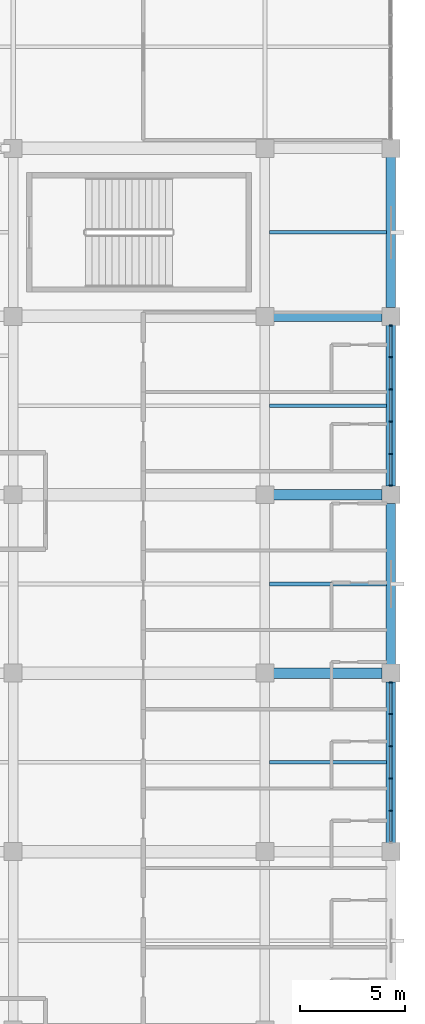
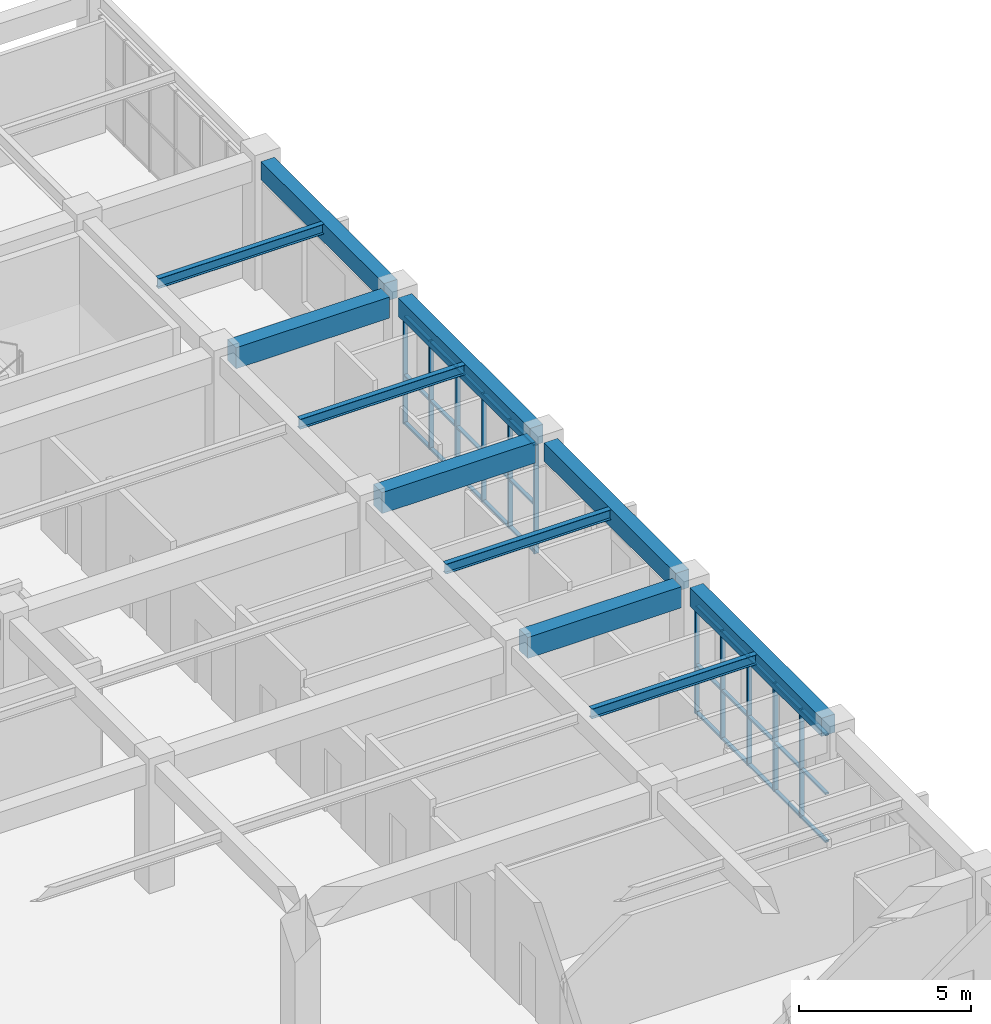
# One storey, part 58 of 112: 41 members, 11 beams, 2 elements without a shape of their own.
"""IFC4 building model written with IfcOpenShell, lengths in metres."""

from ifc_helpers import new_model, si_unit, direction, frame, origin, origin_2d, place, context, subcontext, project, spatial, rectangle, i_section, extrude, material, material_profile, profile_set, type_object, element, aggregate, save


model = new_model("IFC4")

# Units and contexts
model_context = context("Model", 3, precision=1e-05, world=origin(), true_north=direction((0.0, 1.0)))
body_context = subcontext(model_context, "Body", "Model", "MODEL_VIEW")
ifc_project = project(units=[si_unit("LENGTHUNIT", "METRE"), si_unit("AREAUNIT", "SQUARE_METRE"), si_unit("VOLUMEUNIT", "CUBIC_METRE"), si_unit("PLANEANGLEUNIT", "RADIAN"), si_unit("MASSUNIT", "GRAM", prefix="KILO")], contexts=[model_context])

# Site, building, storey
site_placement = place(None, origin())
site = spatial("IfcSite", under=ifc_project, at=site_placement, CompositionType="ELEMENT")
building_placement = place(site_placement, origin())
building = spatial("IfcBuilding", under=site, at=building_placement, Name="Cuetzalor Civic Arena", CompositionType="ELEMENT")
storey_placement = place(building_placement, frame((0.0, 0.0, 11.39990234375)))
storey = spatial("IfcBuildingStorey", under=building, at=storey_placement, Name="L02", CompositionType="ELEMENT", Elevation=11.39990234375)

# Beams
ifc_material_1 = material(Name="Concrete C40/50", Category="concrete")
ifc_material_profile_1 = material_profile(ifc_material_1, rectangle(XDim=0.5, YDim=0.75, at=origin_2d()), Name="RC 500x750")
ifc_profile_set_1 = profile_set([ifc_material_profile_1], Name="Concrete C40/50")
beam_type_1 = type_object("IfcBeamType", Name="ConcreteFrameBeam_500x750", PredefinedType="BEAM", material=ifc_profile_set_1)
for number, where, z_axis, x_axis, name in (
    (1, (76.4150390625, 0.0, 4.14501953125), (1.0, 0.0, 0.0), (0.0, 1.0, 0.0), "Frame Girder V4E-L02-X0723"),
    (2, (76.4150390625, 8.5, 4.14501953125), (1.0, 0.0, 0.0), (0.0, 1.0, 0.0), "Frame Girder V4E-L02-X0726"),
    (3, (76.4150390625, 17.0, 4.14501953125), (1.0, 0.0, 0.0), (0.0, 1.0, 0.0), "Frame Girder V4E-L02-X0729"),
):
    element("IfcBeam", number, at=place(storey_placement, frame(where, z_axis=z_axis, x_axis=x_axis)), inside=storey, type_object=beam_type_1, Name=name, PredefinedType="BEAM", context=body_context, shape_type="SweptSolid", body=[
        extrude(rectangle(XDim=0.5, YDim=0.75, at=origin_2d()), origin(), (0.0, 0.0, 1.0), 5.169921875),
    ])
ifc_material_2 = material(Name="Concrete C40/50", Category="concrete")
ifc_material_profile_2 = material_profile(ifc_material_2, rectangle(XDim=0.449951171875, YDim=0.64990234375, at=origin_2d()), Name="RC 450x650")
ifc_profile_set_2 = profile_set([ifc_material_profile_2], Name="Concrete C40/50")
beam_type_2 = type_object("IfcBeamType", Name="ConcreteTieBeam_450x650", PredefinedType="BEAM", material=ifc_profile_set_2)
for number, where, z_axis, x_axis, name in (
    (4, (82.0, -8.0849609375, 4.195068359375), (0.0, 1.0, 0.0), (-1.0, 0.0, 0.0), "Frame Girder V4E-L02-Y0773"),
    (5, (82.0, 0.4150390625, 4.195068359375), (0.0, 1.0, 0.0), (-1.0, 0.0, 0.0), "Frame Girder V4E-L02-Y0774"),
    (6, (82.0, 8.9150390625, 4.195068359375), (0.0, 1.0, 0.0), (-1.0, 0.0, 0.0), "Frame Girder V4E-L02-Y0775"),
):
    element("IfcBeam", number, at=place(storey_placement, frame(where, z_axis=z_axis, x_axis=x_axis)), inside=storey, type_object=beam_type_2, Name=name, PredefinedType="BEAM", context=body_context, shape_type="SweptSolid", body=[
        extrude(rectangle(XDim=0.449951171875, YDim=0.64990234375, at=origin_2d()), origin(), (0.0, 0.0, 1.0), 7.669921875),
    ])
beam_placement = place(storey_placement, frame((82.0, 17.4150390625, 4.195068359375), z_axis=(0.0, 1.0, 0.0), x_axis=(-1.0, 0.0, 0.0)))
element("IfcBeam", 7, at=beam_placement, inside=storey, type_object=beam_type_2, Name="Frame Girder V4E-L02-Y0776", PredefinedType="BEAM", context=body_context, shape_type="SweptSolid", body=[
    extrude(rectangle(XDim=0.449951171875, YDim=0.64990234375, at=origin_2d()), origin(), (0.0, 0.0, 1.0), 7.169921875),
])

# Curtain wall, members
ifc_material_3 = material(Name="Anodised dark bronze aluminium and low-E solar glass", Category="aluminium")
curtain_wall_type = type_object("IfcCurtainWallType", Name="UnitisedCW_7700x3850", PredefinedType="USERDEFINED", material=ifc_material_3)
curtain_wall_1_placement = place(storey_placement, origin())
curtain_wall_1 = element("IfcCurtainWall", 8, at=curtain_wall_1_placement, inside=storey, type_object=curtain_wall_type, Name="V4E Suite Viewing Curtain Wall L02-142", ObjectType="UNITISED CURTAIN WALL", PredefinedType="USERDEFINED")
ifc_material_4 = material(Name="Anodised dark bronze aluminium", Category="aluminium")
ifc_material_profile_3 = material_profile(ifc_material_4, rectangle(XDim=0.06494140625, YDim=0.14990234375, at=origin_2d()), Name="ALU MULLION 65x150")
ifc_profile_set_3 = profile_set([ifc_material_profile_3], Name="Anodised dark bronze aluminium")
member_type_1 = type_object("IfcMemberType", Name="CurtainWallMullion_60x150", PredefinedType="MULLION", material=ifc_profile_set_3)
member_1_placement = place(storey_placement, frame((82.0, -0.439453125, 0.0), z_axis=(0.0, 0.0, 1.0), x_axis=(0.0, -1.0, 0.0)))
member_1 = element("IfcMember", 9, at=member_1_placement, type_object=member_type_1, Name="CW-42 mullion 1", PredefinedType="MULLION", context=body_context, shape_type="SweptSolid", body=[
    extrude(rectangle(XDim=0.06494140625, YDim=0.14990234375, at=origin_2d()), origin(), (0.0, 0.0, 1.0), 3.860107421875),
])
member_2_placement = place(storey_placement, frame((82.0, -1.944091796875, 0.0), z_axis=(0.0, 0.0, 1.0), x_axis=(0.0, -1.0, 0.0)))
member_2 = element("IfcMember", 10, at=member_2_placement, type_object=member_type_1, Name="CW-42 mullion 2", PredefinedType="MULLION", context=body_context, shape_type="SweptSolid", body=[
    extrude(rectangle(XDim=0.06494140625, YDim=0.14990234375, at=origin_2d()), origin(), (0.0, 0.0, 1.0), 3.860107421875),
])
member_3_placement = place(storey_placement, frame((82.0, -3.4814453125, 0.0), z_axis=(0.0, 0.0, 1.0), x_axis=(0.0, -1.0, 0.0)))
member_3 = element("IfcMember", 11, at=member_3_placement, type_object=member_type_1, Name="CW-42 mullion 3", PredefinedType="MULLION", context=body_context, shape_type="SweptSolid", body=[
    extrude(rectangle(XDim=0.06494140625, YDim=0.14990234375, at=origin_2d()), origin(), (0.0, 0.0, 1.0), 3.860107421875),
])
member_4_placement = place(storey_placement, frame((82.0, -5.0185546875, 0.0), z_axis=(0.0, 0.0, 1.0), x_axis=(0.0, -1.0, 0.0)))
member_4 = element("IfcMember", 12, at=member_4_placement, type_object=member_type_1, Name="CW-42 mullion 4", PredefinedType="MULLION", context=body_context, shape_type="SweptSolid", body=[
    extrude(rectangle(XDim=0.06494140625, YDim=0.14990234375, at=origin_2d()), origin(), (0.0, 0.0, 1.0), 3.860107421875),
])
member_5_placement = place(storey_placement, frame((82.0, -6.555908203125, 0.0), z_axis=(0.0, 0.0, 1.0), x_axis=(0.0, -1.0, 0.0)))
member_5 = element("IfcMember", 13, at=member_5_placement, type_object=member_type_1, Name="CW-42 mullion 5", PredefinedType="MULLION", context=body_context, shape_type="SweptSolid", body=[
    extrude(rectangle(XDim=0.06494140625, YDim=0.14990234375, at=origin_2d()), origin(), (0.0, 0.0, 1.0), 3.860107421875),
])

curtain_wall_2_placement = place(storey_placement, origin())
curtain_wall_2 = element("IfcCurtainWall", 14, at=curtain_wall_2_placement, inside=storey, type_object=curtain_wall_type, Name="V4E Suite Viewing Curtain Wall L02-143", ObjectType="UNITISED CURTAIN WALL", PredefinedType="USERDEFINED")
member_6_placement = place(storey_placement, frame((82.0, 16.560546875, 0.0), z_axis=(0.0, 0.0, 1.0), x_axis=(0.0, -1.0, 0.0)))
member_6 = element("IfcMember", 15, at=member_6_placement, type_object=member_type_1, Name="CW-42 mullion 1", PredefinedType="MULLION", context=body_context, shape_type="SweptSolid", body=[
    extrude(rectangle(XDim=0.06494140625, YDim=0.14990234375, at=origin_2d()), origin(), (0.0, 0.0, 1.0), 3.860107421875),
])
member_7_placement = place(storey_placement, frame((82.0, 15.055908203125, 0.0), z_axis=(0.0, 0.0, 1.0), x_axis=(0.0, -1.0, 0.0)))
member_7 = element("IfcMember", 16, at=member_7_placement, type_object=member_type_1, Name="CW-42 mullion 2", PredefinedType="MULLION", context=body_context, shape_type="SweptSolid", body=[
    extrude(rectangle(XDim=0.06494140625, YDim=0.14990234375, at=origin_2d()), origin(), (0.0, 0.0, 1.0), 3.860107421875),
])
member_8_placement = place(storey_placement, frame((82.0, 13.5185546875, 0.0), z_axis=(0.0, 0.0, 1.0), x_axis=(0.0, -1.0, 0.0)))
member_8 = element("IfcMember", 17, at=member_8_placement, type_object=member_type_1, Name="CW-42 mullion 3", PredefinedType="MULLION", context=body_context, shape_type="SweptSolid", body=[
    extrude(rectangle(XDim=0.06494140625, YDim=0.14990234375, at=origin_2d()), origin(), (0.0, 0.0, 1.0), 3.860107421875),
])
member_9_placement = place(storey_placement, frame((82.0, 11.9814453125, 0.0), z_axis=(0.0, 0.0, 1.0), x_axis=(0.0, -1.0, 0.0)))
member_9 = element("IfcMember", 18, at=member_9_placement, type_object=member_type_1, Name="CW-42 mullion 4", PredefinedType="MULLION", context=body_context, shape_type="SweptSolid", body=[
    extrude(rectangle(XDim=0.06494140625, YDim=0.14990234375, at=origin_2d()), origin(), (0.0, 0.0, 1.0), 3.860107421875),
])
member_10_placement = place(storey_placement, frame((82.0, 10.444091796875, 0.0), z_axis=(0.0, 0.0, 1.0), x_axis=(0.0, -1.0, 0.0)))
member_10 = element("IfcMember", 19, at=member_10_placement, type_object=member_type_1, Name="CW-42 mullion 5", PredefinedType="MULLION", context=body_context, shape_type="SweptSolid", body=[
    extrude(rectangle(XDim=0.06494140625, YDim=0.14990234375, at=origin_2d()), origin(), (0.0, 0.0, 1.0), 3.860107421875),
])
member_11_placement = place(storey_placement, frame((82.0, 8.939453125, 0.0), z_axis=(0.0, 0.0, 1.0), x_axis=(0.0, -1.0, 0.0)))
member_11 = element("IfcMember", 20, at=member_11_placement, type_object=member_type_1, Name="CW-42 mullion 6", PredefinedType="MULLION", context=body_context, shape_type="SweptSolid", body=[
    extrude(rectangle(XDim=0.06494140625, YDim=0.14990234375, at=origin_2d()), origin(), (0.0, 0.0, 1.0), 3.860107421875),
])

# Member
ifc_material_5 = material(Name="Anodised dark bronze aluminium", Category="aluminium")
ifc_material_profile_4 = material_profile(ifc_material_5, rectangle(XDim=0.1201171875, YDim=0.06494140625, at=origin_2d()), Name="ALU TRANSOM 65x120")
ifc_profile_set_4 = profile_set([ifc_material_profile_4], Name="Anodised dark bronze aluminium")
member_type_2 = type_object("IfcMemberType", Name="CurtainWallTransom_60x120", PredefinedType="USERDEFINED", material=ifc_profile_set_4)
member_12_placement = place(storey_placement, frame((82.0, -0.471923828125, 0.03271484375), z_axis=(0.0, -1.0, 0.0), x_axis=(1.0, 0.0, 0.0)))
member_12 = element("IfcMember", 21, at=member_12_placement, type_object=member_type_2, Name="CW-42 transom 1.1", ObjectType="TRANSOM", PredefinedType="USERDEFINED", context=body_context, shape_type="SweptSolid", body=[
    extrude(rectangle(XDim=0.1201171875, YDim=0.06494140625, at=origin_2d()), origin(), (0.0, 0.0, 1.0), 1.439697265625),
])

member_13_placement = place(storey_placement, frame((82.0, -0.471923828125, 1.737060546875), z_axis=(0.0, -1.0, 0.0), x_axis=(1.0, 0.0, 0.0)))
member_13 = element("IfcMember", 22, at=member_13_placement, type_object=member_type_2, Name="CW-42 transom 1.2", ObjectType="TRANSOM", PredefinedType="USERDEFINED", context=body_context, shape_type="SweptSolid", body=[
    extrude(rectangle(XDim=0.1201171875, YDim=0.06494140625, at=origin_2d()), origin(), (0.0, 0.0, 1.0), 1.439697265625),
])

member_14_placement = place(storey_placement, frame((82.0, -0.471923828125, 3.82763671875), z_axis=(0.0, -1.0, 0.0), x_axis=(1.0, 0.0, 0.0)))
member_14 = element("IfcMember", 23, at=member_14_placement, type_object=member_type_2, Name="CW-42 transom 1.3", ObjectType="TRANSOM", PredefinedType="USERDEFINED", context=body_context, shape_type="SweptSolid", body=[
    extrude(rectangle(XDim=0.1201171875, YDim=0.06494140625, at=origin_2d()), origin(), (0.0, 0.0, 1.0), 1.439697265625),
])

member_15_placement = place(storey_placement, frame((82.0, -1.976806640625, 0.03271484375), z_axis=(0.0, -1.0, 0.0), x_axis=(1.0, 0.0, 0.0)))
member_15 = element("IfcMember", 24, at=member_15_placement, type_object=member_type_2, Name="CW-42 transom 2.1", ObjectType="TRANSOM", PredefinedType="USERDEFINED", context=body_context, shape_type="SweptSolid", body=[
    extrude(rectangle(XDim=0.1201171875, YDim=0.06494140625, at=origin_2d()), origin(), (0.0, 0.0, 1.0), 1.47216796875),
])

member_16_placement = place(storey_placement, frame((82.0, -1.976806640625, 1.737060546875), z_axis=(0.0, -1.0, 0.0), x_axis=(1.0, 0.0, 0.0)))
member_16 = element("IfcMember", 25, at=member_16_placement, type_object=member_type_2, Name="CW-42 transom 2.2", ObjectType="TRANSOM", PredefinedType="USERDEFINED", context=body_context, shape_type="SweptSolid", body=[
    extrude(rectangle(XDim=0.1201171875, YDim=0.06494140625, at=origin_2d()), origin(), (0.0, 0.0, 1.0), 1.47216796875),
])

member_17_placement = place(storey_placement, frame((82.0, -1.976806640625, 3.82763671875), z_axis=(0.0, -1.0, 0.0), x_axis=(1.0, 0.0, 0.0)))
member_17 = element("IfcMember", 26, at=member_17_placement, type_object=member_type_2, Name="CW-42 transom 2.3", ObjectType="TRANSOM", PredefinedType="USERDEFINED", context=body_context, shape_type="SweptSolid", body=[
    extrude(rectangle(XDim=0.1201171875, YDim=0.06494140625, at=origin_2d()), origin(), (0.0, 0.0, 1.0), 1.47216796875),
])

member_18_placement = place(storey_placement, frame((82.0, -3.513916015625, 0.03271484375), z_axis=(0.0, -1.0, 0.0), x_axis=(1.0, 0.0, 0.0)))
member_18 = element("IfcMember", 27, at=member_18_placement, type_object=member_type_2, Name="CW-42 transom 3.1", ObjectType="TRANSOM", PredefinedType="USERDEFINED", context=body_context, shape_type="SweptSolid", body=[
    extrude(rectangle(XDim=0.1201171875, YDim=0.06494140625, at=origin_2d()), origin(), (0.0, 0.0, 1.0), 1.47216796875),
])

member_19_placement = place(storey_placement, frame((82.0, -3.513916015625, 1.737060546875), z_axis=(0.0, -1.0, 0.0), x_axis=(1.0, 0.0, 0.0)))
member_19 = element("IfcMember", 28, at=member_19_placement, type_object=member_type_2, Name="CW-42 transom 3.2", ObjectType="TRANSOM", PredefinedType="USERDEFINED", context=body_context, shape_type="SweptSolid", body=[
    extrude(rectangle(XDim=0.1201171875, YDim=0.06494140625, at=origin_2d()), origin(), (0.0, 0.0, 1.0), 1.47216796875),
])

member_20_placement = place(storey_placement, frame((82.0, -3.513916015625, 3.82763671875), z_axis=(0.0, -1.0, 0.0), x_axis=(1.0, 0.0, 0.0)))
member_20 = element("IfcMember", 29, at=member_20_placement, type_object=member_type_2, Name="CW-42 transom 3.3", ObjectType="TRANSOM", PredefinedType="USERDEFINED", context=body_context, shape_type="SweptSolid", body=[
    extrude(rectangle(XDim=0.1201171875, YDim=0.06494140625, at=origin_2d()), origin(), (0.0, 0.0, 1.0), 1.47216796875),
])

member_21_placement = place(storey_placement, frame((82.0, -5.051025390625, 0.03271484375), z_axis=(0.0, -1.0, 0.0), x_axis=(1.0, 0.0, 0.0)))
member_21 = element("IfcMember", 30, at=member_21_placement, type_object=member_type_2, Name="CW-42 transom 4.1", ObjectType="TRANSOM", PredefinedType="USERDEFINED", context=body_context, shape_type="SweptSolid", body=[
    extrude(rectangle(XDim=0.1201171875, YDim=0.06494140625, at=origin_2d()), origin(), (0.0, 0.0, 1.0), 1.47216796875),
])

member_22_placement = place(storey_placement, frame((82.0, -5.051025390625, 1.737060546875), z_axis=(0.0, -1.0, 0.0), x_axis=(1.0, 0.0, 0.0)))
member_22 = element("IfcMember", 31, at=member_22_placement, type_object=member_type_2, Name="CW-42 transom 4.2", ObjectType="TRANSOM", PredefinedType="USERDEFINED", context=body_context, shape_type="SweptSolid", body=[
    extrude(rectangle(XDim=0.1201171875, YDim=0.06494140625, at=origin_2d()), origin(), (0.0, 0.0, 1.0), 1.47216796875),
])

member_23_placement = place(storey_placement, frame((82.0, -5.051025390625, 3.82763671875), z_axis=(0.0, -1.0, 0.0), x_axis=(1.0, 0.0, 0.0)))
member_23 = element("IfcMember", 32, at=member_23_placement, type_object=member_type_2, Name="CW-42 transom 4.3", ObjectType="TRANSOM", PredefinedType="USERDEFINED", context=body_context, shape_type="SweptSolid", body=[
    extrude(rectangle(XDim=0.1201171875, YDim=0.06494140625, at=origin_2d()), origin(), (0.0, 0.0, 1.0), 1.47216796875),
])

member_24_placement = place(storey_placement, frame((82.0, -6.58837890625, 0.03271484375), z_axis=(0.0, -1.0, 0.0), x_axis=(1.0, 0.0, 0.0)))
member_24 = element("IfcMember", 33, at=member_24_placement, type_object=member_type_2, Name="CW-42 transom 5.1", ObjectType="TRANSOM", PredefinedType="USERDEFINED", context=body_context, shape_type="SweptSolid", body=[
    extrude(rectangle(XDim=0.1201171875, YDim=0.06494140625, at=origin_2d()), origin(), (0.0, 0.0, 1.0), 1.439697265625),
])

member_25_placement = place(storey_placement, frame((82.0, -6.58837890625, 1.737060546875), z_axis=(0.0, -1.0, 0.0), x_axis=(1.0, 0.0, 0.0)))
member_25 = element("IfcMember", 34, at=member_25_placement, type_object=member_type_2, Name="CW-42 transom 5.2", ObjectType="TRANSOM", PredefinedType="USERDEFINED", context=body_context, shape_type="SweptSolid", body=[
    extrude(rectangle(XDim=0.1201171875, YDim=0.06494140625, at=origin_2d()), origin(), (0.0, 0.0, 1.0), 1.439697265625),
])

member_26_placement = place(storey_placement, frame((82.0, -6.58837890625, 3.82763671875), z_axis=(0.0, -1.0, 0.0), x_axis=(1.0, 0.0, 0.0)))
member_26 = element("IfcMember", 35, at=member_26_placement, type_object=member_type_2, Name="CW-42 transom 5.3", ObjectType="TRANSOM", PredefinedType="USERDEFINED", context=body_context, shape_type="SweptSolid", body=[
    extrude(rectangle(XDim=0.1201171875, YDim=0.06494140625, at=origin_2d()), origin(), (0.0, 0.0, 1.0), 1.439697265625),
])

aggregate(curtain_wall_1, [member_1, member_2, member_3, member_4, member_5, member_12, member_13, member_14, member_15, member_16, member_17, member_18, member_19, member_20, member_21, member_22, member_23, member_24, member_25, member_26])

member_27_placement = place(storey_placement, frame((82.0, 16.528076171875, 0.03271484375), z_axis=(0.0, -1.0, 0.0), x_axis=(1.0, 0.0, 0.0)))
member_27 = element("IfcMember", 36, at=member_27_placement, type_object=member_type_2, Name="CW-42 transom 1.1", ObjectType="TRANSOM", PredefinedType="USERDEFINED", context=body_context, shape_type="SweptSolid", body=[
    extrude(rectangle(XDim=0.1201171875, YDim=0.06494140625, at=origin_2d()), origin(), (0.0, 0.0, 1.0), 1.439697265625),
])

member_28_placement = place(storey_placement, frame((82.0, 16.528076171875, 1.737060546875), z_axis=(0.0, -1.0, 0.0), x_axis=(1.0, 0.0, 0.0)))
member_28 = element("IfcMember", 37, at=member_28_placement, type_object=member_type_2, Name="CW-42 transom 1.2", ObjectType="TRANSOM", PredefinedType="USERDEFINED", context=body_context, shape_type="SweptSolid", body=[
    extrude(rectangle(XDim=0.1201171875, YDim=0.06494140625, at=origin_2d()), origin(), (0.0, 0.0, 1.0), 1.439697265625),
])

member_29_placement = place(storey_placement, frame((82.0, 16.528076171875, 3.82763671875), z_axis=(0.0, -1.0, 0.0), x_axis=(1.0, 0.0, 0.0)))
member_29 = element("IfcMember", 38, at=member_29_placement, type_object=member_type_2, Name="CW-42 transom 1.3", ObjectType="TRANSOM", PredefinedType="USERDEFINED", context=body_context, shape_type="SweptSolid", body=[
    extrude(rectangle(XDim=0.1201171875, YDim=0.06494140625, at=origin_2d()), origin(), (0.0, 0.0, 1.0), 1.439697265625),
])

member_30_placement = place(storey_placement, frame((82.0, 15.023193359375, 0.03271484375), z_axis=(0.0, -1.0, 0.0), x_axis=(1.0, 0.0, 0.0)))
member_30 = element("IfcMember", 39, at=member_30_placement, type_object=member_type_2, Name="CW-42 transom 2.1", ObjectType="TRANSOM", PredefinedType="USERDEFINED", context=body_context, shape_type="SweptSolid", body=[
    extrude(rectangle(XDim=0.1201171875, YDim=0.06494140625, at=origin_2d()), origin(), (0.0, 0.0, 1.0), 1.47216796875),
])

member_31_placement = place(storey_placement, frame((82.0, 15.023193359375, 1.737060546875), z_axis=(0.0, -1.0, 0.0), x_axis=(1.0, 0.0, 0.0)))
member_31 = element("IfcMember", 40, at=member_31_placement, type_object=member_type_2, Name="CW-42 transom 2.2", ObjectType="TRANSOM", PredefinedType="USERDEFINED", context=body_context, shape_type="SweptSolid", body=[
    extrude(rectangle(XDim=0.1201171875, YDim=0.06494140625, at=origin_2d()), origin(), (0.0, 0.0, 1.0), 1.47216796875),
])

member_32_placement = place(storey_placement, frame((82.0, 15.023193359375, 3.82763671875), z_axis=(0.0, -1.0, 0.0), x_axis=(1.0, 0.0, 0.0)))
member_32 = element("IfcMember", 41, at=member_32_placement, type_object=member_type_2, Name="CW-42 transom 2.3", ObjectType="TRANSOM", PredefinedType="USERDEFINED", context=body_context, shape_type="SweptSolid", body=[
    extrude(rectangle(XDim=0.1201171875, YDim=0.06494140625, at=origin_2d()), origin(), (0.0, 0.0, 1.0), 1.47216796875),
])

member_33_placement = place(storey_placement, frame((82.0, 13.486083984375, 0.03271484375), z_axis=(0.0, -1.0, 0.0), x_axis=(1.0, 0.0, 0.0)))
member_33 = element("IfcMember", 42, at=member_33_placement, type_object=member_type_2, Name="CW-42 transom 3.1", ObjectType="TRANSOM", PredefinedType="USERDEFINED", context=body_context, shape_type="SweptSolid", body=[
    extrude(rectangle(XDim=0.1201171875, YDim=0.06494140625, at=origin_2d()), origin(), (0.0, 0.0, 1.0), 1.47216796875),
])

member_34_placement = place(storey_placement, frame((82.0, 13.486083984375, 1.737060546875), z_axis=(0.0, -1.0, 0.0), x_axis=(1.0, 0.0, 0.0)))
member_34 = element("IfcMember", 43, at=member_34_placement, type_object=member_type_2, Name="CW-42 transom 3.2", ObjectType="TRANSOM", PredefinedType="USERDEFINED", context=body_context, shape_type="SweptSolid", body=[
    extrude(rectangle(XDim=0.1201171875, YDim=0.06494140625, at=origin_2d()), origin(), (0.0, 0.0, 1.0), 1.47216796875),
])

member_35_placement = place(storey_placement, frame((82.0, 13.486083984375, 3.82763671875), z_axis=(0.0, -1.0, 0.0), x_axis=(1.0, 0.0, 0.0)))
member_35 = element("IfcMember", 44, at=member_35_placement, type_object=member_type_2, Name="CW-42 transom 3.3", ObjectType="TRANSOM", PredefinedType="USERDEFINED", context=body_context, shape_type="SweptSolid", body=[
    extrude(rectangle(XDim=0.1201171875, YDim=0.06494140625, at=origin_2d()), origin(), (0.0, 0.0, 1.0), 1.47216796875),
])

member_36_placement = place(storey_placement, frame((82.0, 11.948974609375, 0.03271484375), z_axis=(0.0, -1.0, 0.0), x_axis=(1.0, 0.0, 0.0)))
member_36 = element("IfcMember", 45, at=member_36_placement, type_object=member_type_2, Name="CW-42 transom 4.1", ObjectType="TRANSOM", PredefinedType="USERDEFINED", context=body_context, shape_type="SweptSolid", body=[
    extrude(rectangle(XDim=0.1201171875, YDim=0.06494140625, at=origin_2d()), origin(), (0.0, 0.0, 1.0), 1.47216796875),
])

member_37_placement = place(storey_placement, frame((82.0, 11.948974609375, 1.737060546875), z_axis=(0.0, -1.0, 0.0), x_axis=(1.0, 0.0, 0.0)))
member_37 = element("IfcMember", 46, at=member_37_placement, type_object=member_type_2, Name="CW-42 transom 4.2", ObjectType="TRANSOM", PredefinedType="USERDEFINED", context=body_context, shape_type="SweptSolid", body=[
    extrude(rectangle(XDim=0.1201171875, YDim=0.06494140625, at=origin_2d()), origin(), (0.0, 0.0, 1.0), 1.47216796875),
])

member_38_placement = place(storey_placement, frame((82.0, 11.948974609375, 3.82763671875), z_axis=(0.0, -1.0, 0.0), x_axis=(1.0, 0.0, 0.0)))
member_38 = element("IfcMember", 47, at=member_38_placement, type_object=member_type_2, Name="CW-42 transom 4.3", ObjectType="TRANSOM", PredefinedType="USERDEFINED", context=body_context, shape_type="SweptSolid", body=[
    extrude(rectangle(XDim=0.1201171875, YDim=0.06494140625, at=origin_2d()), origin(), (0.0, 0.0, 1.0), 1.47216796875),
])

member_39_placement = place(storey_placement, frame((82.0, 10.41162109375, 0.03271484375), z_axis=(0.0, -1.0, 0.0), x_axis=(1.0, 0.0, 0.0)))
member_39 = element("IfcMember", 48, at=member_39_placement, type_object=member_type_2, Name="CW-42 transom 5.1", ObjectType="TRANSOM", PredefinedType="USERDEFINED", context=body_context, shape_type="SweptSolid", body=[
    extrude(rectangle(XDim=0.1201171875, YDim=0.06494140625, at=origin_2d()), origin(), (0.0, 0.0, 1.0), 1.439697265625),
])

member_40_placement = place(storey_placement, frame((82.0, 10.41162109375, 1.737060546875), z_axis=(0.0, -1.0, 0.0), x_axis=(1.0, 0.0, 0.0)))
member_40 = element("IfcMember", 49, at=member_40_placement, type_object=member_type_2, Name="CW-42 transom 5.2", ObjectType="TRANSOM", PredefinedType="USERDEFINED", context=body_context, shape_type="SweptSolid", body=[
    extrude(rectangle(XDim=0.1201171875, YDim=0.06494140625, at=origin_2d()), origin(), (0.0, 0.0, 1.0), 1.439697265625),
])

member_41_placement = place(storey_placement, frame((82.0, 10.41162109375, 3.82763671875), z_axis=(0.0, -1.0, 0.0), x_axis=(1.0, 0.0, 0.0)))
member_41 = element("IfcMember", 50, at=member_41_placement, type_object=member_type_2, Name="CW-42 transom 5.3", ObjectType="TRANSOM", PredefinedType="USERDEFINED", context=body_context, shape_type="SweptSolid", body=[
    extrude(rectangle(XDim=0.1201171875, YDim=0.06494140625, at=origin_2d()), origin(), (0.0, 0.0, 1.0), 1.439697265625),
])

aggregate(curtain_wall_2, [member_6, member_7, member_8, member_9, member_10, member_11, member_27, member_28, member_29, member_30, member_31, member_32, member_33, member_34, member_35, member_36, member_37, member_38, member_39, member_40, member_41])

# Beams
ifc_material_6 = material(Name="Steel S355", Category="steel")
ifc_material_profile_5 = material_profile(ifc_material_6, i_section(OverallWidth=0.1708984375, OverallDepth=0.35498046875, WebThickness=0.007080078125, FlangeThickness=0.01171875, at=origin_2d()), Name="W360x51")
ifc_profile_set_5 = profile_set([ifc_material_profile_5], Name="Steel S355")
beam_type_3 = type_object("IfcBeamType", Name="SecondaryFloorJoist_W360", PredefinedType="JOIST", material=ifc_profile_set_5)
for number, where, z_axis, x_axis, name in (
    (51, (76.217041015625, -4.25, 4.342529296875), (1.0, 0.0, 0.0), (0.0, 1.0, 0.0), "Secondary Floor Joist V4E-L02-0240"),
    (52, (76.217041015625, 4.25, 4.342529296875), (1.0, 0.0, 0.0), (0.0, 1.0, 0.0), "Secondary Floor Joist V4E-L02-0241"),
    (53, (76.217041015625, 12.75, 4.342529296875), (1.0, 0.0, 0.0), (0.0, 1.0, 0.0), "Secondary Floor Joist V4E-L02-0242"),
    (54, (76.217041015625, 21.0, 4.342529296875), (1.0, 0.0, 0.0), (0.0, 1.0, 0.0), "Secondary Floor Joist V4E-L02-0243"),
):
    element("IfcBeam", number, at=place(storey_placement, frame(where, z_axis=z_axis, x_axis=x_axis)), inside=storey, type_object=beam_type_3, Name=name, PredefinedType="JOIST", context=body_context, shape_type="SweptSolid", body=[
        extrude(i_section(OverallWidth=0.1708984375, OverallDepth=0.35498046875, WebThickness=0.007080078125, FlangeThickness=0.01171875, at=origin_2d()), origin(), (0.0, 0.0, 1.0), 5.56591796875),
    ])

save(model, "model.ifc")
